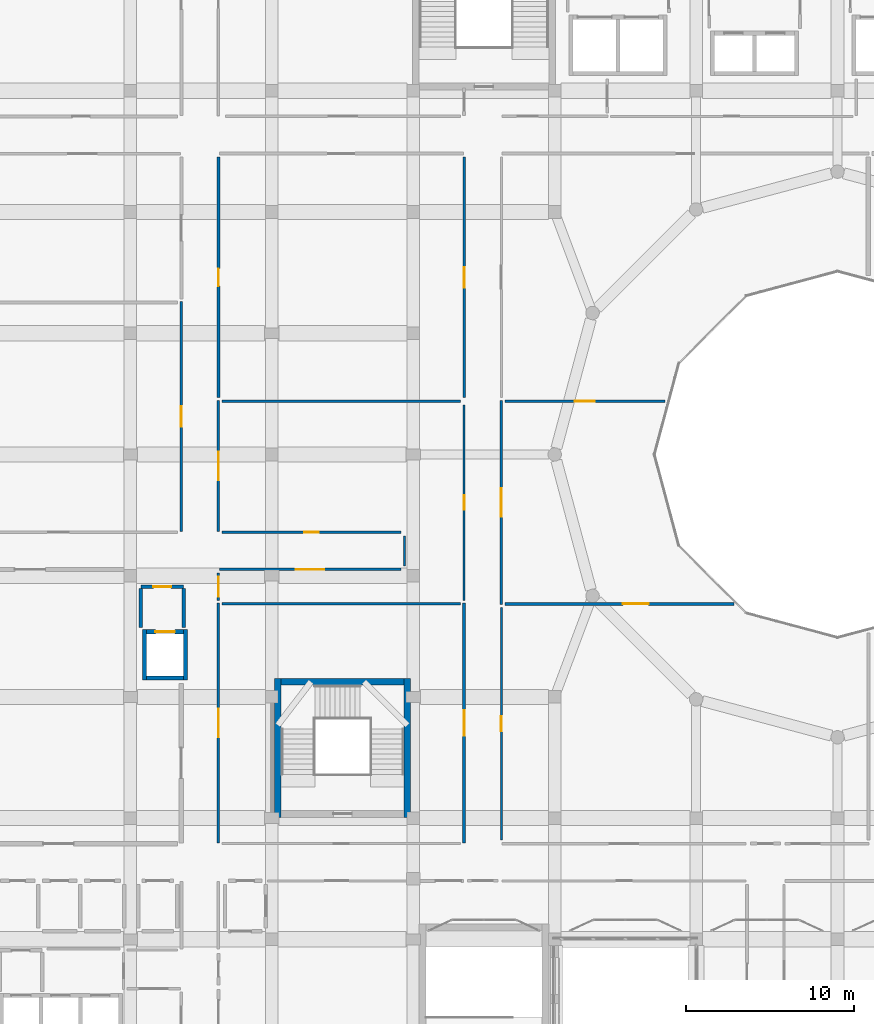
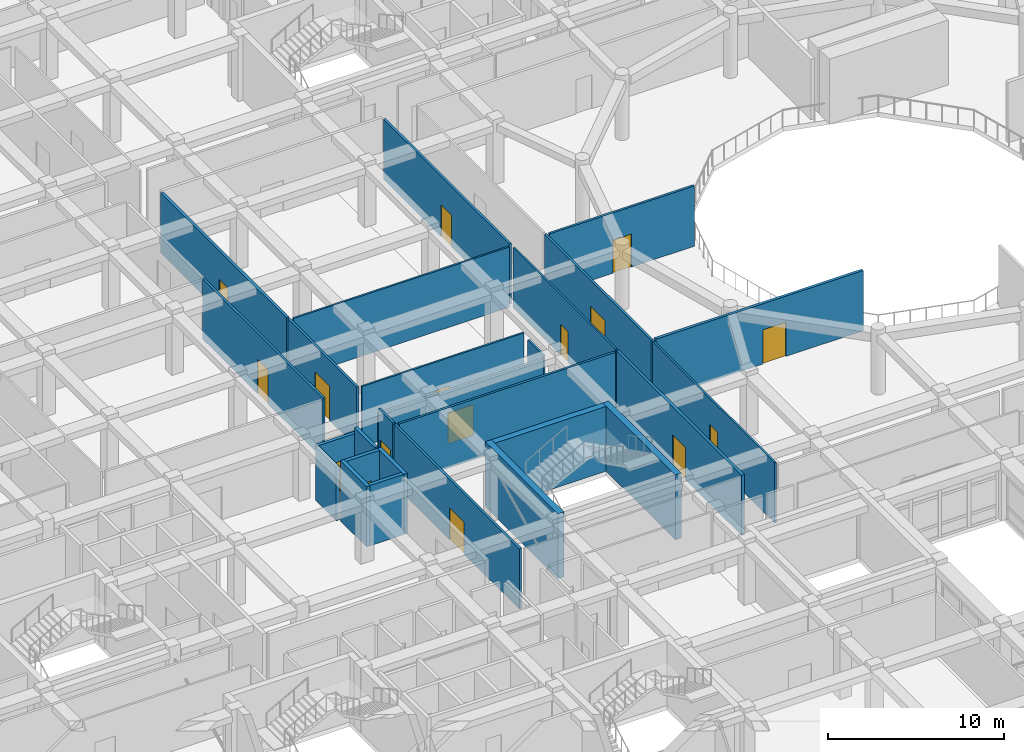
# One storey, part 76 of 121: 27 walls, 16 doors, 16 openings.
"""IFC4 building model written with IfcOpenShell, lengths in metres."""

from ifc_helpers import new_model, si_unit, derived_unit, direction, frame, frame_2d, origin, place, context, subcontext, project, spatial, rectangle, extrude, material, layer, layer_set, type_object, element, fill, save


model = new_model("IFC4")

# Units and contexts
model_context = context("Model", 3, precision=1e-05, world=origin(), true_north=direction((0.0, 1.0)))
body_context = subcontext(model_context, "Body", "Model", "MODEL_VIEW")
ifc_project = project(units=[si_unit("LENGTHUNIT", "METRE"), si_unit("AREAUNIT", "SQUARE_METRE"), si_unit("VOLUMEUNIT", "CUBIC_METRE"), si_unit("PLANEANGLEUNIT", "RADIAN"), si_unit("MASSUNIT", "GRAM", prefix="KILO"), derived_unit("THERMALTRANSMITTANCEUNIT", [(si_unit("POWERUNIT", "WATT"), 1), (si_unit("LENGTHUNIT", "METRE"), -2), (si_unit("THERMODYNAMICTEMPERATUREUNIT", "KELVIN"), -1)])], contexts=[model_context])

# Site, building, storey
site_placement = place(None, origin())
site = spatial("IfcSite", under=ifc_project, at=site_placement, CompositionType="ELEMENT")
building_placement = place(site_placement, origin())
building = spatial("IfcBuilding", under=site, at=building_placement, Name="Veybourne Emporium", CompositionType="ELEMENT")
storey_placement = place(building_placement, frame((0.0, 0.0, 5.39990234375)))
storey = spatial("IfcBuildingStorey", under=building, at=storey_placement, Name="L01", CompositionType="ELEMENT", Elevation=5.39990234375)

# Walls
ifc_material_1 = material(Name="Concrete C40/50", Category="concrete")
ifc_layer_1 = layer(ifc_material_1, 0.39990234375)
ifc_layer_set_1 = layer_set([ifc_layer_1], Name="Concrete C40/50")
wall_type_1 = type_object("IfcWallType", Name="IntWall_CW-01", PredefinedType="SHEAR", material=ifc_layer_set_1)
wall_1_placement = place(storey_placement, frame((42.550048828125, 36.89990234375, 0.0), z_axis=(0.0, 0.0, 1.0), x_axis=(1.0, 0.0, 0.0)))
element("IfcWall", 1, at=wall_1_placement, inside=storey, type_object=wall_type_1, Name="Core stair ST-05 north shear wall (L01)", PredefinedType="SHEAR", context=body_context, shape_type="SweptSolid", body=[
    extrude(rectangle(XDim=7.300048828125, YDim=0.39990234375, at=frame_2d((3.64990234375, 0.0))), origin(), (0.0, 0.0, 1.0), 4.5),
])
for number, where, z_axis, x_axis, name in (
    (2, (42.35009765625, 37.10009765625, 0.0), (0.0, 0.0, 1.0), (0.0, -1.0, 0.0), "Core stair ST-05 west shear wall (L01)"),
    (3, (50.050048828125, 28.85009765625, 0.0), (0.0, 0.0, 1.0), (0.0, 1.0, 0.0), "Core stair ST-05 east shear wall (L01)"),
):
    element("IfcWall", number, at=place(storey_placement, frame(where, z_axis=z_axis, x_axis=x_axis)), inside=storey, type_object=wall_type_1, Name=name, PredefinedType="SHEAR", context=body_context, shape_type="SweptSolid", body=[
        extrude(rectangle(XDim=8.25, YDim=0.39990234375, at=frame_2d((4.125, 0.0))), origin(), (0.0, 0.0, 1.0), 4.5),
    ])

# Wall, opening, door
ifc_layer_2 = layer(ifc_material_1, 0.239990234375)
ifc_layer_set_2 = layer_set([ifc_layer_2], Name="Concrete C40/50")
wall_type_2 = type_object("IfcWallType", Name="IntWall_CW-04", PredefinedType="SHEAR", material=ifc_layer_set_2)
wall_2_placement = place(storey_placement, frame((36.760009765625, 39.8701171875, 0.0), z_axis=(0.0, 0.0, 1.0), x_axis=(-1.0, 0.0, 0.0)))
wall_2 = element("IfcWall", 4, at=wall_2_placement, inside=storey, type_object=wall_type_2, Name="Lift core C3 north shaft wall (L01)", PredefinedType="SHEAR", context=body_context, shape_type="SweptSolid", body=[
    extrude(rectangle(XDim=2.199951171875, YDim=0.239990234375, at=frame_2d((1.10009765625, 0.0))), origin(), (0.0, 0.0, 1.0), 4.18017578125),
])
opening_1_placement = place(wall_2_placement, frame((0.52490234375, 0.0, 0.0)))
opening_1 = element("IfcOpeningElement", 5, at=opening_1_placement, cuts=wall_2, Name="Opening LD-02", PredefinedType="OPENING", context=body_context, shape_type="SweptSolid", body=[
    extrude(rectangle(XDim=1.14990234375, YDim=2.25, at=frame_2d((0.574951171875, 1.125))), frame((0.0, 0.14013671875, 0.0), z_axis=(0.0, -1.0, 0.0), x_axis=(1.0, 0.0, 0.0)), (0.0, 0.0, 1.0), 0.280029296875),
])
ifc_material_2 = material(Name="Patinated Architectural Bronze", Category="bronze")
door_type_1 = type_object("IfcDoorType", Name="FireDoor_LD-02", OperationType="SLIDING_TO_LEFT", PredefinedType="DOOR", material=ifc_material_2)
door_1_placement = place(opening_1_placement, origin())
door_1 = element("IfcDoor", 6, at=door_1_placement, inside=storey, type_object=door_type_1, Name="Lift FFL-03 sliding landing door (L01)", OperationType="SLIDING_TO_LEFT", OverallHeight=2.25, OverallWidth=1.14990234375, PredefinedType="DOOR", context=body_context, shape_type="SweptSolid", body=[
    extrude(rectangle(XDim=1.14990234375, YDim=2.25, at=frame_2d((0.574951171875, 1.125))), frame((0.0, 0.02490234375, 0.0), z_axis=(0.0, -1.0, 0.0), x_axis=(1.0, 0.0, 0.0)), (0.0, 0.0, 1.0), 0.050048828125),
])
fill(opening_1, door_1)

# Walls
wall_3_placement = place(storey_placement, frame((34.56005859375, 37.1298828125, 0.0), z_axis=(0.0, 0.0, 1.0), x_axis=(1.0, 0.0, 0.0)))
element("IfcWall", 7, at=wall_3_placement, inside=storey, type_object=wall_type_2, Name="Lift core C3 south shaft wall (L01)", PredefinedType="SHEAR", context=body_context, shape_type="SweptSolid", body=[
    extrude(rectangle(XDim=2.199951171875, YDim=0.239990234375, at=frame_2d((1.10009765625, 0.0))), origin(), (0.0, 0.0, 1.0), 4.18017578125),
])
for number, where, z_axis, x_axis, name in (
    (8, (34.43994140625, 39.989990234375, 0.0), (0.0, 0.0, 1.0), (0.0, -1.0, 0.0), "Lift core C3 west shaft wall (L01)"),
    (9, (36.8798828125, 37.010009765625, 0.0), (0.0, 0.0, 1.0), (0.0, 1.0, 0.0), "Lift core C3 east shaft wall (L01)"),
):
    element("IfcWall", number, at=place(storey_placement, frame(where, z_axis=z_axis, x_axis=x_axis)), inside=storey, type_object=wall_type_2, Name=name, PredefinedType="SHEAR", context=body_context, shape_type="SweptSolid", body=[
        extrude(rectangle(XDim=2.97998046875, YDim=0.239990234375, at=frame_2d((1.489990234375, 0.0))), origin(), (0.0, 0.0, 1.0), 4.18017578125),
    ])

# Wall, opening, door
ifc_material_3 = material(Name="Concrete C32/40", Category="concrete")
ifc_layer_3 = layer(ifc_material_3, 0.219970703125)
ifc_layer_set_3 = layer_set([ifc_layer_3], Name="Concrete C32/40")
wall_type_3 = type_object("IfcWallType", Name="IntWall_FW-02", PredefinedType="SOLIDWALL", material=ifc_layer_set_3)
wall_4_placement = place(storey_placement, frame((34.219970703125, 42.550048828125, 0.0), z_axis=(0.0, 0.0, 1.0), x_axis=(1.0, 0.0, 0.0)))
wall_4 = element("IfcWall", 10, at=wall_4_placement, inside=storey, type_object=wall_type_3, Name="Firefighting lobby C3 fire wall N (L01)", PredefinedType="SOLIDWALL", context=body_context, shape_type="SweptSolid", body=[
    extrude(rectangle(XDim=2.5400390625, YDim=0.219970703125, at=frame_2d((1.27001953125, 0.0))), origin(), (0.0, 0.0, 1.0), 3.72998046875),
])
opening_2_placement = place(wall_4_placement, frame((0.7451171875, 0.0, 0.0)))
opening_2 = element("IfcOpeningElement", 11, at=opening_2_placement, cuts=wall_4, Name="Opening FD-02", PredefinedType="OPENING", context=body_context, shape_type="SweptSolid", body=[
    extrude(rectangle(XDim=1.050048828125, YDim=2.14990234375, at=frame_2d((0.52490234375, 1.074951171875))), frame((0.0, 0.1298828125, 0.0), z_axis=(0.0, -1.0, 0.0), x_axis=(1.0, 0.0, 0.0)), (0.0, 0.0, 1.0), 0.260009765625),
])
door_type_2 = type_object("IfcDoorType", Name="FireDoor_FD-02", OperationType="NOTDEFINED", PredefinedType="DOOR", material=ifc_material_2)
door_2_placement = place(opening_2_placement, origin())
door_2 = element("IfcDoor", 12, at=door_2_placement, inside=storey, type_object=door_type_2, Name="Firefighting lobby C3 FD60S door N (L01)", OperationType="SINGLE_SWING_RIGHT", OverallHeight=2.14990234375, OverallWidth=1.050048828125, PredefinedType="DOOR", context=body_context, shape_type="SweptSolid", body=[
    extrude(rectangle(XDim=1.050048828125, YDim=2.14990234375, at=frame_2d((0.52490234375, 1.074951171875))), frame((0.0, 0.02490234375, 0.0), z_axis=(0.0, -1.0, 0.0), x_axis=(1.0, 0.0, 0.0)), (0.0, 0.0, 1.0), 0.050048828125),
])
fill(opening_2, door_2)

# Walls
wall_5_placement = place(storey_placement, frame((34.219970703125, 40.110107421875, 0.0), z_axis=(0.0, 0.0, 1.0), x_axis=(0.0, 1.0, 0.0)))
element("IfcWall", 13, at=wall_5_placement, inside=storey, type_object=wall_type_3, Name="Firefighting lobby C3 fire wall W (L01)", PredefinedType="SOLIDWALL", context=body_context, shape_type="SweptSolid", body=[
    extrude(rectangle(XDim=2.31982421875, YDim=0.219970703125, at=frame_2d((1.159912109375, 0.0))), origin(), (0.0, 0.0, 1.0), 3.72998046875),
])
wall_6_placement = place(storey_placement, frame((36.760009765625, 40.110107421875, 0.0), z_axis=(0.0, 0.0, 1.0), x_axis=(0.0, 1.0, 0.0)))
element("IfcWall", 14, at=wall_6_placement, inside=storey, type_object=wall_type_3, Name="Firefighting lobby C3 fire wall E (L01)", PredefinedType="SOLIDWALL", context=body_context, shape_type="SweptSolid", body=[
    extrude(rectangle(XDim=2.31982421875, YDim=0.219970703125, at=frame_2d((1.159912109375, 0.0))), origin(), (0.0, 0.0, 1.0), 4.18017578125),
])

# Wall, opening, door
ifc_material_4 = material(Name="Gypsum Acoustic Board", Category="gypsum")
ifc_layer_4 = layer(ifc_material_4, 0.179931640625)
ifc_layer_set_4 = layer_set([ifc_layer_4], Name="Gypsum Acoustic Board")
wall_type_4 = type_object("IfcWallType", Name="IntWall_IW-01", PredefinedType="PARTITIONING", material=ifc_layer_set_4)
wall_7_placement = place(storey_placement, frame((38.830078125, 53.77001953125, 0.0), z_axis=(0.0, 0.0, 1.0), x_axis=(0.0, 1.0, 0.0)))
wall_7 = element("IfcWall", 15, at=wall_7_placement, inside=storey, type_object=wall_type_4, Name="L01 interior partition IW-01 #025", PredefinedType="PARTITIONING", context=body_context, shape_type="SweptSolid", body=[
    extrude(rectangle(XDim=14.2900390625, YDim=0.179931640625, at=frame_2d((7.14501953125, 0.0))), origin(), (0.0, 0.0, 1.0), 4.18017578125),
])
opening_3_placement = place(wall_7_placement, frame((6.625, 0.0, 0.0)))
opening_3 = element("IfcOpeningElement", 16, at=opening_3_placement, cuts=wall_7, Name="Opening D-14", PredefinedType="OPENING", context=body_context, shape_type="SweptSolid", body=[
    extrude(rectangle(XDim=1.0400390625, YDim=2.2099609375, at=frame_2d((0.52001953125, 1.10498046875))), frame((0.0, 0.10986328125, 0.0), z_axis=(0.0, -1.0, 0.0), x_axis=(1.0, 0.0, 0.0)), (0.0, 0.0, 1.0), 0.219970703125),
])
ifc_material_5 = material(Name="European Oak Veneer and Bronze", Category="wood")
door_type_3 = type_object("IfcDoorType", Name="IntDoor_D-14", OperationType="NOTDEFINED", PredefinedType="DOOR", material=ifc_material_5)
door_3_placement = place(opening_3_placement, origin())
door_3 = element("IfcDoor", 17, at=door_3_placement, inside=storey, type_object=door_type_3, Name="L01 interior door D-14 (PART-L01-025)", OperationType="SINGLE_SWING_LEFT", OverallHeight=2.2099609375, OverallWidth=1.0400390625, PredefinedType="DOOR", context=body_context, shape_type="SweptSolid", body=[
    extrude(rectangle(XDim=1.0400390625, YDim=2.2099609375, at=frame_2d((0.52001953125, 1.10498046875))), frame((0.0, 0.02490234375, 0.0), z_axis=(0.0, -1.0, 0.0), x_axis=(1.0, 0.0, 0.0)), (0.0, 0.0, 1.0), 0.050048828125),
])
fill(opening_3, door_3)

wall_8_placement = place(storey_placement, frame((53.419921875, 27.330078125, 0.0), z_axis=(0.0, 0.0, 1.0), x_axis=(0.0, 1.0, 0.0)))
wall_8 = element("IfcWall", 18, at=wall_8_placement, inside=storey, type_object=wall_type_4, Name="L01 interior partition IW-01 #028", PredefinedType="PARTITIONING", context=body_context, shape_type="SweptSolid", body=[
    extrude(rectangle(XDim=14.25, YDim=0.179931640625, at=frame_2d((7.125, 0.0))), origin(), (0.0, 0.0, 1.0), 4.18017578125),
])
opening_4_placement = place(wall_8_placement, frame((6.364990234375, 0.0, 0.0)))
opening_4 = element("IfcOpeningElement", 19, at=opening_4_placement, cuts=wall_8, Name="Opening D-17", PredefinedType="OPENING", context=body_context, shape_type="SweptSolid", body=[
    extrude(rectangle(XDim=1.52001953125, YDim=2.2099609375, at=frame_2d((0.760009765625, 1.10498046875))), frame((0.0, 0.10986328125, 0.0), z_axis=(0.0, -1.0, 0.0), x_axis=(1.0, 0.0, 0.0)), (0.0, 0.0, 1.0), 0.219970703125),
])
door_type_4 = type_object("IfcDoorType", Name="IntDoor_D-17", OperationType="NOTDEFINED", PredefinedType="DOOR", material=ifc_material_5)
door_4_placement = place(opening_4_placement, origin())
door_4 = element("IfcDoor", 20, at=door_4_placement, inside=storey, type_object=door_type_4, Name="L01 interior door D-17 (PART-L01-028)", OperationType="SINGLE_SWING_RIGHT", OverallHeight=2.2099609375, OverallWidth=1.52001953125, PredefinedType="DOOR", context=body_context, shape_type="SweptSolid", body=[
    extrude(rectangle(XDim=1.52001953125, YDim=2.2099609375, at=frame_2d((0.760009765625, 1.10498046875))), frame((0.0, 0.02490234375, 0.0), z_axis=(0.0, -1.0, 0.0), x_axis=(1.0, 0.0, 0.0)), (0.0, 0.0, 1.0), 0.050048828125),
])
fill(opening_4, door_4)

wall_9_placement = place(storey_placement, frame((55.840087890625, 41.530029296875, 0.0), z_axis=(0.0, 0.0, 1.0), x_axis=(1.0, 0.0, 0.0)))
wall_9 = element("IfcWall", 21, at=wall_9_placement, inside=storey, type_object=wall_type_4, Name="L01 interior partition IW-01 #040", PredefinedType="PARTITIONING", context=body_context, shape_type="SweptSolid", body=[
    extrude(rectangle(XDim=13.614990234375, YDim=0.179931640625, at=frame_2d((6.8076171875, 0.0))), origin(), (0.0, 0.0, 1.0), 4.18017578125),
])
opening_5_placement = place(wall_9_placement, frame((7.01513671875, 0.0, 0.0)))
opening_5 = element("IfcOpeningElement", 22, at=opening_5_placement, cuts=wall_9, Name="Opening D-29", PredefinedType="OPENING", context=body_context, shape_type="SweptSolid", body=[
    extrude(rectangle(XDim=1.52001953125, YDim=2.3701171875, at=frame_2d((0.760009765625, 1.18505859375))), frame((0.0, 0.10986328125, 0.0), z_axis=(0.0, -1.0, 0.0), x_axis=(1.0, 0.0, 0.0)), (0.0, 0.0, 1.0), 0.219970703125),
])
door_type_5 = type_object("IfcDoorType", Name="IntDoor_D-29", OperationType="NOTDEFINED", PredefinedType="DOOR", material=ifc_material_5)
door_5_placement = place(opening_5_placement, origin())
door_5 = element("IfcDoor", 23, at=door_5_placement, inside=storey, type_object=door_type_5, Name="L01 interior door D-29 (PART-L01-040)", OperationType="SINGLE_SWING_LEFT", OverallHeight=2.3701171875, OverallWidth=1.52001953125, PredefinedType="DOOR", context=body_context, shape_type="SweptSolid", body=[
    extrude(rectangle(XDim=1.52001953125, YDim=2.3701171875, at=frame_2d((0.760009765625, 1.18505859375))), frame((0.0, 0.02490234375, 0.0), z_axis=(0.0, -1.0, 0.0), x_axis=(1.0, 0.0, 0.0)), (0.0, 0.0, 1.0), 0.050048828125),
])
fill(opening_5, door_5)

ifc_layer_5 = layer(ifc_material_4, 0.14990234375)
ifc_layer_set_5 = layer_set([ifc_layer_5], Name="Gypsum Acoustic Board")
wall_type_5 = type_object("IfcWallType", Name="IntWall_IW-02", PredefinedType="PARTITIONING", material=ifc_layer_set_5)
wall_10_placement = place(storey_placement, frame((53.419921875, 53.77001953125, 0.0), z_axis=(0.0, 0.0, 1.0), x_axis=(0.0, 1.0, 0.0)))
wall_10 = element("IfcWall", 24, at=wall_10_placement, inside=storey, type_object=wall_type_5, Name="L01 interior partition IW-02 #026", PredefinedType="PARTITIONING", context=body_context, shape_type="SweptSolid", body=[
    extrude(rectangle(XDim=14.2900390625, YDim=0.14990234375, at=frame_2d((7.14501953125, 0.0))), origin(), (0.0, 0.0, 1.0), 4.18017578125),
])
opening_6_placement = place(wall_10_placement, frame((6.544921875, 0.0, 0.0)))
opening_6 = element("IfcOpeningElement", 25, at=opening_6_placement, cuts=wall_10, Name="Opening D-15", PredefinedType="OPENING", context=body_context, shape_type="SweptSolid", body=[
    extrude(rectangle(XDim=1.199951171875, YDim=2.2099609375, at=frame_2d((0.60009765625, 1.10498046875))), frame((0.0, 0.094970703125, 0.0), z_axis=(0.0, -1.0, 0.0), x_axis=(1.0, 0.0, 0.0)), (0.0, 0.0, 1.0), 0.18994140625),
])
door_type_6 = type_object("IfcDoorType", Name="IntDoor_D-15", OperationType="NOTDEFINED", PredefinedType="DOOR", material=ifc_material_5)
door_6_placement = place(opening_6_placement, origin())
door_6 = element("IfcDoor", 26, at=door_6_placement, inside=storey, type_object=door_type_6, Name="L01 interior door D-15 (PART-L01-026)", OperationType="SINGLE_SWING_RIGHT", OverallHeight=2.2099609375, OverallWidth=1.199951171875, PredefinedType="DOOR", context=body_context, shape_type="SweptSolid", body=[
    extrude(rectangle(XDim=1.199951171875, YDim=2.2099609375, at=frame_2d((0.60009765625, 1.10498046875))), frame((0.0, 0.02490234375, 0.0), z_axis=(0.0, -1.0, 0.0), x_axis=(1.0, 0.0, 0.0)), (0.0, 0.0, 1.0), 0.050048828125),
])
fill(opening_6, door_6)

wall_11_placement = place(storey_placement, frame((38.830078125, 27.330078125, 0.0), z_axis=(0.0, 0.0, 1.0), x_axis=(0.0, 1.0, 0.0)))
wall_11 = element("IfcWall", 27, at=wall_11_placement, inside=storey, type_object=wall_type_5, Name="L01 interior partition IW-02 #029", PredefinedType="PARTITIONING", context=body_context, shape_type="SweptSolid", body=[
    extrude(rectangle(XDim=14.25, YDim=0.14990234375, at=frame_2d((7.125, 0.0))), origin(), (0.0, 0.0, 1.0), 4.18017578125),
])
opening_7_placement = place(wall_11_placement, frame((6.284912109375, 0.0, 0.0)))
opening_7 = element("IfcOpeningElement", 28, at=opening_7_placement, cuts=wall_11, Name="Opening D-18", PredefinedType="OPENING", context=body_context, shape_type="SweptSolid", body=[
    extrude(rectangle(XDim=1.679931640625, YDim=2.2099609375, at=frame_2d((0.83984375, 1.10498046875))), frame((0.0, 0.094970703125, 0.0), z_axis=(0.0, -1.0, 0.0), x_axis=(1.0, 0.0, 0.0)), (0.0, 0.0, 1.0), 0.18994140625),
])
door_type_7 = type_object("IfcDoorType", Name="IntDoor_D-18", OperationType="DOUBLE_DOOR_SINGLE_SWING", PredefinedType="DOOR", material=ifc_material_5)
door_7_placement = place(opening_7_placement, origin())
door_7 = element("IfcDoor", 29, at=door_7_placement, inside=storey, type_object=door_type_7, Name="L01 interior door D-18 (PART-L01-029)", OperationType="DOUBLE_DOOR_SINGLE_SWING", OverallHeight=2.2099609375, OverallWidth=1.679931640625, PredefinedType="DOOR", context=body_context, shape_type="SweptSolid", body=[
    extrude(rectangle(XDim=1.679931640625, YDim=2.2099609375, at=frame_2d((0.83984375, 1.10498046875))), frame((0.0, 0.02490234375, 0.0), z_axis=(0.0, -1.0, 0.0), x_axis=(1.0, 0.0, 0.0)), (0.0, 0.0, 1.0), 0.050048828125),
])
fill(opening_7, door_7)

wall_12_placement = place(storey_placement, frame((36.6201171875, 45.830078125, 0.0), z_axis=(0.0, 0.0, 1.0), x_axis=(0.0, 1.0, 0.0)))
wall_12 = element("IfcWall", 30, at=wall_12_placement, inside=storey, type_object=wall_type_5, Name="L01 interior partition IW-02 #038", PredefinedType="PARTITIONING", context=body_context, shape_type="SweptSolid", body=[
    extrude(rectangle(XDim=13.64990234375, YDim=0.14990234375, at=frame_2d((6.824951171875, 0.0))), origin(), (0.0, 0.0, 1.0), 4.18017578125),
])
opening_8_placement = place(wall_12_placement, frame((6.22509765625, 0.0, 0.0)))
opening_8 = element("IfcOpeningElement", 31, at=opening_8_placement, cuts=wall_12, Name="Opening D-27", PredefinedType="OPENING", context=body_context, shape_type="SweptSolid", body=[
    extrude(rectangle(XDim=1.199951171875, YDim=2.3701171875, at=frame_2d((0.60009765625, 1.18505859375))), frame((0.0, 0.094970703125, 0.0), z_axis=(0.0, -1.0, 0.0), x_axis=(1.0, 0.0, 0.0)), (0.0, 0.0, 1.0), 0.18994140625),
])
door_type_8 = type_object("IfcDoorType", Name="IntDoor_D-27", OperationType="NOTDEFINED", PredefinedType="DOOR", material=ifc_material_5)
door_8_placement = place(opening_8_placement, origin())
door_8 = element("IfcDoor", 32, at=door_8_placement, inside=storey, type_object=door_type_8, Name="L01 interior door D-27 (PART-L01-038)", OperationType="SINGLE_SWING_LEFT", OverallHeight=2.3701171875, OverallWidth=1.199951171875, PredefinedType="DOOR", context=body_context, shape_type="SweptSolid", body=[
    extrude(rectangle(XDim=1.199951171875, YDim=2.3701171875, at=frame_2d((0.60009765625, 1.18505859375))), frame((0.0, 0.02490234375, 0.0), z_axis=(0.0, -1.0, 0.0), x_axis=(1.0, 0.0, 0.0)), (0.0, 0.0, 1.0), 0.050048828125),
])
fill(opening_8, door_8)

wall_13_placement = place(storey_placement, frame((55.6298828125, 41.47998046875, 0.0), z_axis=(0.0, 0.0, 1.0), x_axis=(0.0, 1.0, 0.0)))
wall_13 = element("IfcWall", 33, at=wall_13_placement, inside=storey, type_object=wall_type_5, Name="L01 interior partition IW-02 #041", PredefinedType="PARTITIONING", context=body_context, shape_type="SweptSolid", body=[
    extrude(rectangle(XDim=12.130126953125, YDim=0.14990234375, at=frame_2d((6.06494140625, 0.0))), origin(), (0.0, 0.0, 1.0), 4.18017578125),
])
opening_9_placement = place(wall_13_placement, frame((5.22509765625, 0.0, 0.0)))
opening_9 = element("IfcOpeningElement", 34, at=opening_9_placement, cuts=wall_13, Name="Opening D-30", PredefinedType="OPENING", context=body_context, shape_type="SweptSolid", body=[
    extrude(rectangle(XDim=1.679931640625, YDim=2.3701171875, at=frame_2d((0.83984375, 1.18505859375))), frame((0.0, 0.094970703125, 0.0), z_axis=(0.0, -1.0, 0.0), x_axis=(1.0, 0.0, 0.0)), (0.0, 0.0, 1.0), 0.18994140625),
])
door_type_9 = type_object("IfcDoorType", Name="IntDoor_D-30", OperationType="DOUBLE_DOOR_SINGLE_SWING", PredefinedType="DOOR", material=ifc_material_5)
door_9_placement = place(opening_9_placement, origin())
door_9 = element("IfcDoor", 35, at=door_9_placement, inside=storey, type_object=door_type_9, Name="L01 interior door D-30 (PART-L01-041)", OperationType="DOUBLE_DOOR_SINGLE_SWING", OverallHeight=2.3701171875, OverallWidth=1.679931640625, PredefinedType="DOOR", context=body_context, shape_type="SweptSolid", body=[
    extrude(rectangle(XDim=1.679931640625, YDim=2.3701171875, at=frame_2d((0.83984375, 1.18505859375))), frame((0.0, 0.02490234375, 0.0), z_axis=(0.0, -1.0, 0.0), x_axis=(1.0, 0.0, 0.0)), (0.0, 0.0, 1.0), 0.050048828125),
])
fill(opening_9, door_9)

wall_14_placement = place(storey_placement, frame((38.8798828125, 43.570068359375, 0.0), z_axis=(0.0, 0.0, 1.0), x_axis=(1.0, 0.0, 0.0)))
wall_14 = element("IfcWall", 36, at=wall_14_placement, inside=storey, type_object=wall_type_5, Name="L01 interior partition IW-02 #059", PredefinedType="PARTITIONING", context=body_context, shape_type="SweptSolid", body=[
    extrude(rectangle(XDim=10.7900390625, YDim=0.14990234375, at=frame_2d((5.39501953125, 0.0))), origin(), (0.0, 0.0, 1.0), 3.72998046875),
])
opening_10_placement = place(wall_14_placement, frame((4.554931640625, 0.0, 0.0)))
opening_10 = element("IfcOpeningElement", 37, at=opening_10_placement, cuts=wall_14, Name="Opening D-12", PredefinedType="OPENING", context=body_context, shape_type="SweptSolid", body=[
    extrude(rectangle(XDim=1.679931640625, YDim=2.1298828125, at=frame_2d((0.83984375, 1.06494140625))), frame((0.0, 0.094970703125, 0.0), z_axis=(0.0, -1.0, 0.0), x_axis=(1.0, 0.0, 0.0)), (0.0, 0.0, 1.0), 0.18994140625),
])
door_type_10 = type_object("IfcDoorType", Name="IntDoor_D-12", OperationType="DOUBLE_DOOR_SINGLE_SWING", PredefinedType="DOOR", material=ifc_material_5)
door_10_placement = place(opening_10_placement, origin())
door_10 = element("IfcDoor", 38, at=door_10_placement, inside=storey, type_object=door_type_10, Name="L01 interior door D-12 (PART-L01-059)", OperationType="DOUBLE_DOOR_SINGLE_SWING", OverallHeight=2.1298828125, OverallWidth=1.679931640625, PredefinedType="DOOR", context=body_context, shape_type="SweptSolid", body=[
    extrude(rectangle(XDim=1.679931640625, YDim=2.1298828125, at=frame_2d((0.83984375, 1.06494140625))), frame((0.0, 0.02490234375, 0.0), z_axis=(0.0, -1.0, 0.0), x_axis=(1.0, 0.0, 0.0)), (0.0, 0.0, 1.0), 0.050048828125),
])
fill(opening_10, door_10)

wall_15_placement = place(storey_placement, frame((55.840087890625, 53.56005859375, 0.0), z_axis=(0.0, 0.0, 1.0), x_axis=(1.0, 0.0, 0.0)))
wall_15 = element("IfcWall", 39, at=wall_15_placement, inside=storey, type_object=wall_type_5, Name="L01 interior partition IW-02 #068", PredefinedType="PARTITIONING", context=body_context, shape_type="SweptSolid", body=[
    extrude(rectangle(XDim=9.5, YDim=0.14990234375, at=frame_2d((4.75, 0.0))), origin(), (0.0, 0.0, 1.0), 4.18017578125),
])
opening_11_placement = place(wall_15_placement, frame((4.14990234375, 0.0, 0.0)))
opening_11 = element("IfcOpeningElement", 40, at=opening_11_placement, cuts=wall_15, Name="Opening D-21", PredefinedType="OPENING", context=body_context, shape_type="SweptSolid", body=[
    extrude(rectangle(XDim=1.199951171875, YDim=2.2900390625, at=frame_2d((0.60009765625, 1.14501953125))), frame((0.0, 0.094970703125, 0.0), z_axis=(0.0, -1.0, 0.0), x_axis=(1.0, 0.0, 0.0)), (0.0, 0.0, 1.0), 0.18994140625),
])
door_type_11 = type_object("IfcDoorType", Name="IntDoor_D-21", OperationType="NOTDEFINED", PredefinedType="DOOR", material=ifc_material_5)
door_11_placement = place(opening_11_placement, origin())
door_11 = element("IfcDoor", 41, at=door_11_placement, inside=storey, type_object=door_type_11, Name="L01 interior door D-21 (PART-L01-068)", OperationType="SINGLE_SWING_RIGHT", OverallHeight=2.2900390625, OverallWidth=1.199951171875, PredefinedType="DOOR", context=body_context, shape_type="SweptSolid", body=[
    extrude(rectangle(XDim=1.199951171875, YDim=2.2900390625, at=frame_2d((0.60009765625, 1.14501953125))), frame((0.0, 0.02490234375, 0.0), z_axis=(0.0, -1.0, 0.0), x_axis=(1.0, 0.0, 0.0)), (0.0, 0.0, 1.0), 0.050048828125),
])
fill(opening_11, door_11)

wall_16_placement = place(storey_placement, frame((38.830078125, 45.830078125, 0.0), z_axis=(0.0, 0.0, 1.0), x_axis=(0.0, 1.0, 0.0)))
wall_16 = element("IfcWall", 42, at=wall_16_placement, inside=storey, type_object=wall_type_5, Name="L01 interior partition IW-02 #077", PredefinedType="PARTITIONING", context=body_context, shape_type="SweptSolid", body=[
    extrude(rectangle(XDim=7.780029296875, YDim=0.14990234375, at=frame_2d((3.89013671875, 0.0))), origin(), (0.0, 0.0, 1.0), 4.18017578125),
])
opening_12_placement = place(wall_16_placement, frame((3.050048828125, 0.0, 0.0)))
opening_12 = element("IfcOpeningElement", 43, at=opening_12_placement, cuts=wall_16, Name="Opening D-30", PredefinedType="OPENING", context=body_context, shape_type="SweptSolid", body=[
    extrude(rectangle(XDim=1.679931640625, YDim=2.3701171875, at=frame_2d((0.83984375, 1.18505859375))), frame((0.0, 0.094970703125, 0.0), z_axis=(0.0, -1.0, 0.0), x_axis=(1.0, 0.0, 0.0)), (0.0, 0.0, 1.0), 0.18994140625),
])
door_12_placement = place(opening_12_placement, origin())
door_12 = element("IfcDoor", 44, at=door_12_placement, inside=storey, type_object=door_type_9, Name="L01 interior door D-30 (PART-L01-077)", OperationType="DOUBLE_DOOR_SINGLE_SWING", OverallHeight=2.3701171875, OverallWidth=1.679931640625, PredefinedType="DOOR", context=body_context, shape_type="SweptSolid", body=[
    extrude(rectangle(XDim=1.679931640625, YDim=2.3701171875, at=frame_2d((0.83984375, 1.18505859375))), frame((0.0, 0.02490234375, 0.0), z_axis=(0.0, -1.0, 0.0), x_axis=(1.0, 0.0, 0.0)), (0.0, 0.0, 1.0), 0.050048828125),
])
fill(opening_12, door_12)

wall_17_placement = place(storey_placement, frame((38.830078125, 41.739990234375, 0.0), z_axis=(0.0, 0.0, 1.0), x_axis=(0.0, 1.0, 0.0)))
wall_17 = element("IfcWall", 45, at=wall_17_placement, inside=storey, type_object=wall_type_5, Name="L01 interior partition IW-02 #164", PredefinedType="PARTITIONING", context=body_context, shape_type="SweptSolid", body=[
    extrude(rectangle(XDim=1.6201171875, YDim=0.14990234375, at=frame_2d((0.81005859375, 0.0))), origin(), (0.0, 0.0, 1.0), 4.18017578125),
])
opening_13_placement = place(wall_17_placement, frame((0.2099609375, 0.0, 0.0)))
opening_13 = element("IfcOpeningElement", 46, at=opening_13_placement, cuts=wall_17, Name="Opening D-09", PredefinedType="OPENING", context=body_context, shape_type="SweptSolid", body=[
    extrude(rectangle(XDim=1.199951171875, YDim=2.1298828125, at=frame_2d((0.60009765625, 1.06494140625))), frame((0.0, 0.094970703125, 0.0), z_axis=(0.0, -1.0, 0.0), x_axis=(1.0, 0.0, 0.0)), (0.0, 0.0, 1.0), 0.18994140625),
])
door_type_12 = type_object("IfcDoorType", Name="IntDoor_D-09", OperationType="NOTDEFINED", PredefinedType="DOOR", material=ifc_material_5)
door_13_placement = place(opening_13_placement, origin())
door_13 = element("IfcDoor", 47, at=door_13_placement, inside=storey, type_object=door_type_12, Name="L01 interior door D-09 (PART-L01-164)", OperationType="SINGLE_SWING_LEFT", OverallHeight=2.1298828125, OverallWidth=1.199951171875, PredefinedType="DOOR", context=body_context, shape_type="SweptSolid", body=[
    extrude(rectangle(XDim=1.199951171875, YDim=2.1298828125, at=frame_2d((0.60009765625, 1.06494140625))), frame((0.0, 0.02490234375, 0.0), z_axis=(0.0, -1.0, 0.0), x_axis=(1.0, 0.0, 0.0)), (0.0, 0.0, 1.0), 0.050048828125),
])
fill(opening_13, door_13)

# Wall
wall_18_placement = place(storey_placement, frame((39.0400390625, 41.530029296875, 0.0), z_axis=(0.0, 0.0, 1.0), x_axis=(1.0, 0.0, 0.0)))
element("IfcWall", 48, at=wall_18_placement, inside=storey, type_object=wall_type_5, Name="L01 interior partition IW-02 #176", PredefinedType="PARTITIONING", context=body_context, shape_type="SweptSolid", body=[
    extrude(rectangle(XDim=14.169921875, YDim=0.14990234375, at=frame_2d((7.0849609375, 0.0))), origin(), (0.0, 0.0, 1.0), 4.18017578125),
])

# Wall, opening, door
ifc_layer_6 = layer(ifc_material_4, 0.1201171875)
ifc_layer_set_6 = layer_set([ifc_layer_6], Name="Gypsum Acoustic Board")
wall_type_6 = type_object("IfcWallType", Name="IntWall_IW-03", PredefinedType="PARTITIONING", material=ifc_layer_set_6)
wall_19_placement = place(storey_placement, frame((55.6298828125, 27.489990234375, 0.0), z_axis=(0.0, 0.0, 1.0), x_axis=(0.0, 1.0, 0.0)))
wall_19 = element("IfcWall", 49, at=wall_19_placement, inside=storey, type_object=wall_type_6, Name="L01 interior partition IW-03 #036", PredefinedType="PARTITIONING", context=body_context, shape_type="SweptSolid", body=[
    extrude(rectangle(XDim=13.830078125, YDim=0.1201171875, at=frame_2d((6.9150390625, 0.0))), origin(), (0.0, 0.0, 1.0), 4.18017578125),
])
opening_14_placement = place(wall_19_placement, frame((6.47509765625, 0.0, 0.0)))
opening_14 = element("IfcOpeningElement", 50, at=opening_14_placement, cuts=wall_19, Name="Opening D-25", PredefinedType="OPENING", context=body_context, shape_type="SweptSolid", body=[
    extrude(rectangle(XDim=0.8798828125, YDim=2.3701171875, at=frame_2d((0.43994140625, 1.18505859375))), frame((0.0, 0.080078125, 0.0), z_axis=(0.0, -1.0, 0.0), x_axis=(1.0, 0.0, 0.0)), (0.0, 0.0, 1.0), 0.16015625),
])
door_type_13 = type_object("IfcDoorType", Name="IntDoor_D-25", OperationType="NOTDEFINED", PredefinedType="DOOR", material=ifc_material_5)
door_14_placement = place(opening_14_placement, origin())
door_14 = element("IfcDoor", 51, at=door_14_placement, inside=storey, type_object=door_type_13, Name="L01 interior door D-25 (PART-L01-036)", OperationType="SINGLE_SWING_LEFT", OverallHeight=2.3701171875, OverallWidth=0.8798828125, PredefinedType="DOOR", context=body_context, shape_type="SweptSolid", body=[
    extrude(rectangle(XDim=0.8798828125, YDim=2.3701171875, at=frame_2d((0.43994140625, 1.18505859375))), frame((0.0, 0.02490234375, 0.0), z_axis=(0.0, -1.0, 0.0), x_axis=(1.0, 0.0, 0.0)), (0.0, 0.0, 1.0), 0.050048828125),
])
fill(opening_14, door_14)

wall_20_placement = place(storey_placement, frame((53.419921875, 41.739990234375, 0.0), z_axis=(0.0, 0.0, 1.0), x_axis=(0.0, 1.0, 0.0)))
wall_20 = element("IfcWall", 52, at=wall_20_placement, inside=storey, type_object=wall_type_6, Name="L01 interior partition IW-03 #054", PredefinedType="PARTITIONING", context=body_context, shape_type="SweptSolid", body=[
    extrude(rectangle(XDim=11.610107421875, YDim=0.1201171875, at=frame_2d((5.80517578125, 0.0))), origin(), (0.0, 0.0, 1.0), 4.18017578125),
])
opening_15_placement = place(wall_20_placement, frame((5.364990234375, 0.0, 0.0)))
opening_15 = element("IfcOpeningElement", 53, at=opening_15_placement, cuts=wall_20, Name="Opening D-07", PredefinedType="OPENING", context=body_context, shape_type="SweptSolid", body=[
    extrude(rectangle(XDim=0.8798828125, YDim=2.1298828125, at=frame_2d((0.43994140625, 1.06494140625))), frame((0.0, 0.080078125, 0.0), z_axis=(0.0, -1.0, 0.0), x_axis=(1.0, 0.0, 0.0)), (0.0, 0.0, 1.0), 0.16015625),
])
door_type_14 = type_object("IfcDoorType", Name="IntDoor_D-07", OperationType="NOTDEFINED", PredefinedType="DOOR", material=ifc_material_5)
door_15_placement = place(opening_15_placement, origin())
door_15 = element("IfcDoor", 54, at=door_15_placement, inside=storey, type_object=door_type_14, Name="L01 interior door D-07 (PART-L01-054)", OperationType="SINGLE_SWING_LEFT", OverallHeight=2.1298828125, OverallWidth=0.8798828125, PredefinedType="DOOR", context=body_context, shape_type="SweptSolid", body=[
    extrude(rectangle(XDim=0.8798828125, YDim=2.1298828125, at=frame_2d((0.43994140625, 1.06494140625))), frame((0.0, 0.02490234375, 0.0), z_axis=(0.0, -1.0, 0.0), x_axis=(1.0, 0.0, 0.0)), (0.0, 0.0, 1.0), 0.050048828125),
])
fill(opening_15, door_15)

wall_21_placement = place(storey_placement, frame((39.0400390625, 45.780029296875, 0.0), z_axis=(0.0, 0.0, 1.0), x_axis=(1.0, 0.0, 0.0)))
wall_21 = element("IfcWall", 55, at=wall_21_placement, inside=storey, type_object=wall_type_6, Name="L01 interior partition IW-03 #060", PredefinedType="PARTITIONING", context=body_context, shape_type="SweptSolid", body=[
    extrude(rectangle(XDim=10.6298828125, YDim=0.1201171875, at=frame_2d((5.31494140625, 0.0))), origin(), (0.0, 0.0, 1.0), 4.18017578125),
])
opening_16_placement = place(wall_21_placement, frame((4.875, 0.0, 0.0)))
opening_16 = element("IfcOpeningElement", 56, at=opening_16_placement, cuts=wall_21, Name="Opening D-13", PredefinedType="OPENING", context=body_context, shape_type="SweptSolid", body=[
    extrude(rectangle(XDim=0.8798828125, YDim=2.2099609375, at=frame_2d((0.43994140625, 1.10498046875))), frame((0.0, 0.080078125, 0.0), z_axis=(0.0, -1.0, 0.0), x_axis=(1.0, 0.0, 0.0)), (0.0, 0.0, 1.0), 0.16015625),
])
door_type_15 = type_object("IfcDoorType", Name="IntDoor_D-13", OperationType="NOTDEFINED", PredefinedType="DOOR", material=ifc_material_5)
door_16_placement = place(opening_16_placement, origin())
door_16 = element("IfcDoor", 57, at=door_16_placement, inside=storey, type_object=door_type_15, Name="L01 interior door D-13 (PART-L01-060)", OperationType="SINGLE_SWING_RIGHT", OverallHeight=2.2099609375, OverallWidth=0.8798828125, PredefinedType="DOOR", context=body_context, shape_type="SweptSolid", body=[
    extrude(rectangle(XDim=0.8798828125, YDim=2.2099609375, at=frame_2d((0.43994140625, 1.10498046875))), frame((0.0, 0.02490234375, 0.0), z_axis=(0.0, -1.0, 0.0), x_axis=(1.0, 0.0, 0.0)), (0.0, 0.0, 1.0), 0.050048828125),
])
fill(opening_16, door_16)

# Walls
wall_22_placement = place(storey_placement, frame((49.8798828125, 43.780029296875, 0.0), z_axis=(0.0, 0.0, 1.0), x_axis=(0.0, 1.0, 0.0)))
element("IfcWall", 58, at=wall_22_placement, inside=storey, type_object=wall_type_6, Name="L01 interior partition IW-03 #150", PredefinedType="PARTITIONING", context=body_context, shape_type="SweptSolid", body=[
    extrude(rectangle(XDim=1.7900390625, YDim=0.1201171875, at=frame_2d((0.89501953125, 0.0))), origin(), (0.0, 0.0, 1.0), 3.72998046875),
])
wall_23_placement = place(storey_placement, frame((39.0400390625, 53.56005859375, 0.0), z_axis=(0.0, 0.0, 1.0), x_axis=(1.0, 0.0, 0.0)))
element("IfcWall", 59, at=wall_23_placement, inside=storey, type_object=wall_type_6, Name="L01 interior partition IW-03 #177", PredefinedType="PARTITIONING", context=body_context, shape_type="SweptSolid", body=[
    extrude(rectangle(XDim=14.169921875, YDim=0.1201171875, at=frame_2d((7.0849609375, 0.0))), origin(), (0.0, 0.0, 1.0), 4.18017578125),
])

save(model, "model.ifc")
